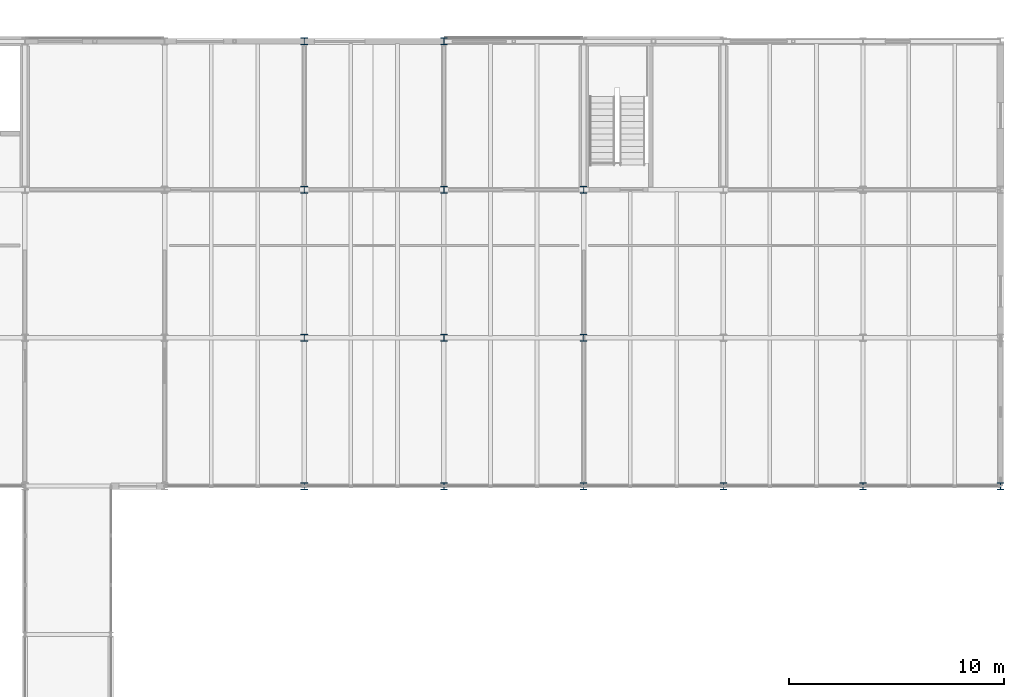
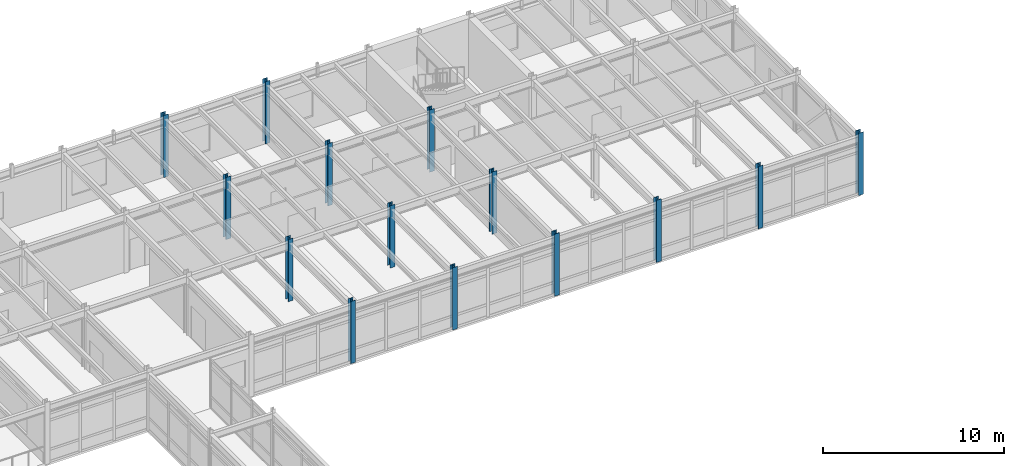
# One storey, part 19 of 144: 14 columns.
"""IFC4 building model written with IfcOpenShell, lengths in metres."""

from ifc_helpers import new_model, si_unit, direction, frame, origin, origin_2d, place, context, subcontext, project, spatial, i_section, extrude, material, material_profile, profile_set, type_object, element, save


model = new_model("IFC4")

# Units and contexts
model_context = context("Model", 3, precision=1e-05, world=origin(), true_north=direction((0.0, 1.0)))
body_context = subcontext(model_context, "Body", "Model", "MODEL_VIEW")
ifc_project = project(units=[si_unit("LENGTHUNIT", "METRE"), si_unit("AREAUNIT", "SQUARE_METRE"), si_unit("VOLUMEUNIT", "CUBIC_METRE"), si_unit("PLANEANGLEUNIT", "RADIAN"), si_unit("MASSUNIT", "GRAM", prefix="KILO")], contexts=[model_context])

# Site, building, storey
site_placement = place(None, origin())
site = spatial("IfcSite", under=ifc_project, at=site_placement, CompositionType="ELEMENT")
building_placement = place(site_placement, origin())
building = spatial("IfcBuilding", under=site, at=building_placement, Name="Trelmorton Wharf Fire Station", CompositionType="ELEMENT")
storey_placement = place(building_placement, frame((0.0, 0.0, 5.39990234375)))
storey = spatial("IfcBuildingStorey", under=building, at=storey_placement, Name="L01", CompositionType="ELEMENT", Elevation=5.39990234375)

# Columns
ifc_material = material(Name="Steel Grade 350", Category="steel")
ifc_material_profile = material_profile(ifc_material, i_section(OverallWidth=0.30908203125, OverallDepth=0.321044921875, WebThickness=0.013916015625, FlangeThickness=0.021728515625, FilletRadius=0.0166015625, at=origin_2d()), Name="310UC137")
ifc_profile_set = profile_set([ifc_material_profile], Name="Steel Grade 350")
column_type = type_object("IfcColumnType", Name="COL_310UC137", PredefinedType="COLUMN", material=ifc_profile_set)
for number, where, z_axis, x_axis, name in (
    (1, (130.0, 60.300048828125, 0.0), (0.0, 0.0, 1.0), (1.0, 0.0, 0.0), "COL-L01-0417"),
    (2, (130.0, 67.199951171875, 0.0), (0.0, 0.0, 1.0), (1.0, 0.0, 0.0), "COL-L01-0418"),
    (3, (130.0, 74.10009765625, 0.0), (0.0, 0.0, 1.0), (1.0, 0.0, 0.0), "COL-L01-0419"),
    (4, (130.0, 81.0, 0.0), (0.0, 0.0, 1.0), (1.0, 0.0, 0.0), "COL-L01-0420"),
    (5, (136.5, 60.300048828125, 0.0), (0.0, 0.0, 1.0), (1.0, 0.0, 0.0), "COL-L01-0425"),
    (6, (136.5, 67.199951171875, 0.0), (0.0, 0.0, 1.0), (1.0, 0.0, 0.0), "COL-L01-0426"),
    (7, (136.5, 74.10009765625, 0.0), (0.0, 0.0, 1.0), (1.0, 0.0, 0.0), "COL-L01-0427"),
    (8, (136.5, 81.0, 0.0), (0.0, 0.0, 1.0), (1.0, 0.0, 0.0), "COL-L01-0428"),
    (9, (143.0, 60.300048828125, 0.0), (0.0, 0.0, 1.0), (1.0, 0.0, 0.0), "COL-L01-0433"),
    (10, (143.0, 67.199951171875, 0.0), (0.0, 0.0, 1.0), (1.0, 0.0, 0.0), "COL-L01-0434"),
    (11, (143.0, 74.10009765625, 0.0), (0.0, 0.0, 1.0), (1.0, 0.0, 0.0), "COL-L01-0435"),
    (12, (149.5, 60.300048828125, 0.0), (0.0, 0.0, 1.0), (1.0, 0.0, 0.0), "COL-L01-0441"),
    (13, (156.0, 60.300048828125, 0.0), (0.0, 0.0, 1.0), (1.0, 0.0, 0.0), "COL-L01-0449"),
    (14, (162.39990234375, 60.300048828125, 0.0), (0.0, 0.0, 1.0), (1.0, 0.0, 0.0), "COL-L01-0457"),
):
    element("IfcColumn", number, at=place(storey_placement, frame(where, z_axis=z_axis, x_axis=x_axis)), inside=storey, type_object=column_type, Name=name, PredefinedType="COLUMN", context=body_context, shape_type="SweptSolid", body=[
        extrude(i_section(OverallWidth=0.30908203125, OverallDepth=0.321044921875, WebThickness=0.013916015625, FlangeThickness=0.021728515625, FilletRadius=0.0166015625, at=origin_2d()), origin(), (0.0, 0.0, 1.0), 4.2001953125),
    ])

save(model, "model.ifc")
